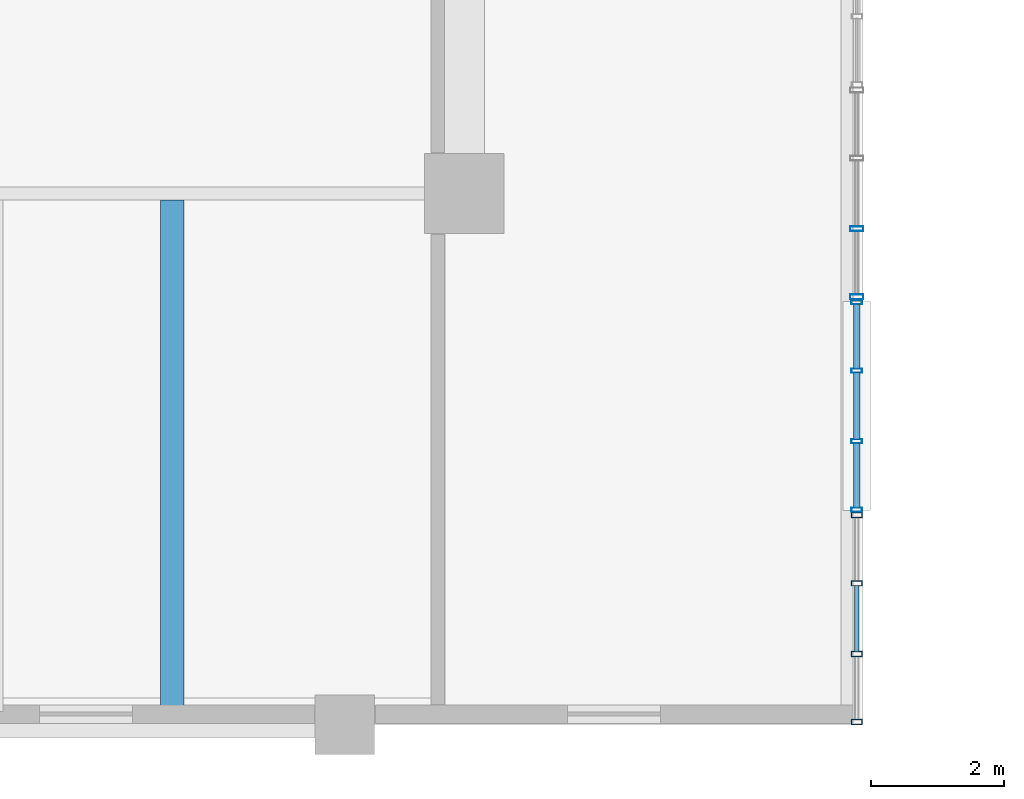
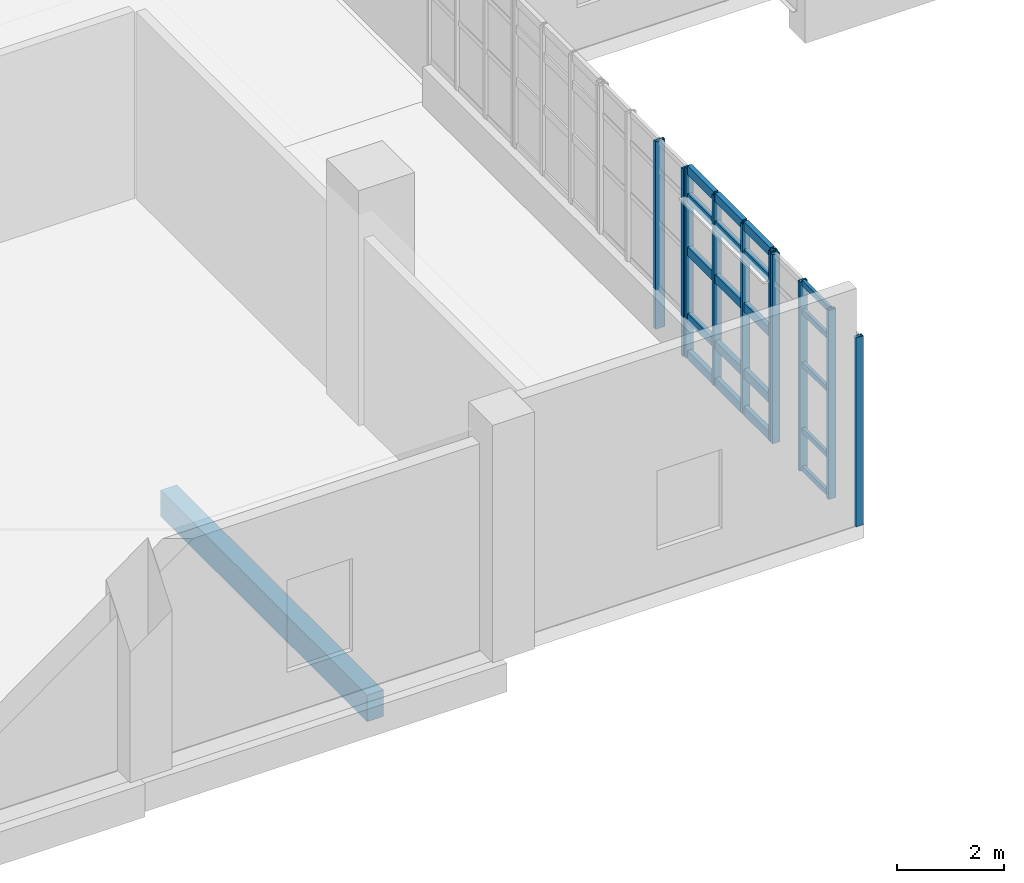
# One storey, part 23 of 57: 30 members, 1 beam, 3 elements without a shape of their own.
"""IFC4 building model written with IfcOpenShell, lengths in metres."""

from ifc_helpers import new_model, si_unit, derived_unit, direction, frame, origin, origin_2d, place, context, subcontext, project, spatial, rectangle, hollow_rectangle, extrude, material, layer, layer_set, material_profile, profile_set, type_object, element, aggregate, save


model = new_model("IFC4")

# Units and contexts
model_context = context("Model", 3, precision=1e-05, world=origin(), true_north=direction((0.0, 1.0)))
body_context = subcontext(model_context, "Body", "Model", "MODEL_VIEW")
ifc_project = project(units=[si_unit("LENGTHUNIT", "METRE"), si_unit("AREAUNIT", "SQUARE_METRE"), si_unit("VOLUMEUNIT", "CUBIC_METRE"), si_unit("PLANEANGLEUNIT", "RADIAN"), si_unit("MASSUNIT", "GRAM", prefix="KILO"), derived_unit("THERMALTRANSMITTANCEUNIT", [(si_unit("POWERUNIT", "WATT"), 1), (si_unit("LENGTHUNIT", "METRE"), -2), (si_unit("THERMODYNAMICTEMPERATUREUNIT", "KELVIN"), -1)])], contexts=[model_context])

# Site, building, storey
site_placement = place(None, origin())
site = spatial("IfcSite", under=ifc_project, at=site_placement, CompositionType="ELEMENT")
building_placement = place(site_placement, origin())
building = spatial("IfcBuilding", under=site, at=building_placement, Name="Nallur Shell Playhouse", CompositionType="ELEMENT")
storey_placement = place(building_placement, origin())
storey = spatial("IfcBuildingStorey", under=building, at=storey_placement, Name="L01", CompositionType="ELEMENT", Elevation=0.0)

# Beam
ifc_material_1 = material(Name="Concrete M30", Category="concrete")
ifc_material_profile_1 = material_profile(ifc_material_1, rectangle(XDim=0.35009765625, YDim=0.60009765625, at=origin_2d()), Name="RC 350x600")
ifc_profile_set_1 = profile_set([ifc_material_profile_1], Name="Concrete M30")
beam_type = type_object("IfcBeamType", Name="BM-RC-350x600", PredefinedType="JOIST", material=ifc_profile_set_1)
beam_placement = place(storey_placement, frame((108.199951171875, 8.197998046875, -0.6201171875), z_axis=(0.0, 1.0, 0.0), x_axis=(-1.0, 0.0, 0.0)))
element("IfcBeam", 1, at=beam_placement, inside=storey, type_object=beam_type, Name="L01 secondary joist 13-A-306", PredefinedType="JOIST", context=body_context, shape_type="SweptSolid", body=[
    extrude(rectangle(XDim=0.35009765625, YDim=0.60009765625, at=origin_2d()), origin(), (0.0, 0.0, 1.0), 7.7041015625),
])

# Curtain wall, members
ifc_material_2 = material(Name="Anodised Aluminium Double-Glazed Facade System", Category="aluminium")
ifc_layer_1 = layer(ifc_material_2, 0.179931640625)
ifc_layer_set_1 = layer_set([ifc_layer_1], Name="Anodised Aluminium Double-Glazed Facade System")
curtain_wall_type_1 = type_object("IfcCurtainWallType", Name="CW-UNIT-05", PredefinedType="NOTDEFINED", material=ifc_layer_set_1)
curtain_wall_1_placement = place(storey_placement, origin())
curtain_wall_1 = element("IfcCurtainWall", 2, at=curtain_wall_1_placement, inside=storey, type_object=curtain_wall_type_1, Name="Unitised curtain wall CW-005 (L01)", PredefinedType="NOTDEFINED")
ifc_material_3 = material(Name="Aluminium Alloy 6063-T6 Mullion", Category="aluminium")
ifc_material_profile_2 = material_profile(ifc_material_3, hollow_rectangle(XDim=0.080078125, YDim=0.159912109375, WallThickness=0.006103515625, at=origin_2d()), Name="RHS 160x80x6")
ifc_profile_set_2 = profile_set([ifc_material_profile_2], Name="Aluminium Alloy 6063-T6 Mullion")
member_type_1 = type_object("IfcMemberType", Name="MB-CW-MUL150", PredefinedType="MULLION", material=ifc_profile_set_2)
member_1_placement = place(storey_placement, frame((118.510009765625, 11.155029296875, -0.014892578125), z_axis=(0.0, 0.0, 1.0), x_axis=(0.0, -1.0, 0.0)))
member_1 = element("IfcMember", 3, at=member_1_placement, type_object=member_type_1, Name="CW-05 mullion 1", PredefinedType="MULLION", context=body_context, shape_type="SweptSolid", body=[
    extrude(hollow_rectangle(XDim=0.080078125, YDim=0.159912109375, WallThickness=0.006103515625, at=origin_2d()), origin(), (0.0, 0.0, 1.0), 4.303955078125),
])
member_2_placement = place(storey_placement, frame((118.510009765625, 10.1298828125, -0.014892578125), z_axis=(0.0, 0.0, 1.0), x_axis=(0.0, -1.0, 0.0)))
member_2 = element("IfcMember", 4, at=member_2_placement, type_object=member_type_1, Name="CW-05 mullion 2", PredefinedType="MULLION", context=body_context, shape_type="SweptSolid", body=[
    extrude(hollow_rectangle(XDim=0.080078125, YDim=0.159912109375, WallThickness=0.006103515625, at=origin_2d()), origin(), (0.0, 0.0, 1.0), 4.303955078125),
])
member_3_placement = place(storey_placement, frame((118.510009765625, 9.06494140625, -0.014892578125), z_axis=(0.0, 0.0, 1.0), x_axis=(0.0, -1.0, 0.0)))
member_3 = element("IfcMember", 5, at=member_3_placement, type_object=member_type_1, Name="CW-05 mullion 3", PredefinedType="MULLION", context=body_context, shape_type="SweptSolid", body=[
    extrude(hollow_rectangle(XDim=0.080078125, YDim=0.159912109375, WallThickness=0.006103515625, at=origin_2d()), origin(), (0.0, 0.0, 1.0), 4.303955078125),
])
member_4_placement = place(storey_placement, frame((118.510009765625, 8.0400390625, -0.014892578125), z_axis=(0.0, 0.0, 1.0), x_axis=(0.0, -1.0, 0.0)))
member_4 = element("IfcMember", 6, at=member_4_placement, type_object=member_type_1, Name="CW-05 mullion 4", PredefinedType="MULLION", context=body_context, shape_type="SweptSolid", body=[
    extrude(hollow_rectangle(XDim=0.080078125, YDim=0.159912109375, WallThickness=0.006103515625, at=origin_2d()), origin(), (0.0, 0.0, 1.0), 4.303955078125),
])

ifc_layer_2 = layer(ifc_material_2, 0.176025390625)
ifc_layer_set_2 = layer_set([ifc_layer_2], Name="Anodised Aluminium Double-Glazed Facade System")
curtain_wall_type_2 = type_object("IfcCurtainWallType", Name="CW-UNIT-04", PredefinedType="NOTDEFINED", material=ifc_layer_set_2)
curtain_wall_2_placement = place(storey_placement, origin())
curtain_wall_2 = element("IfcCurtainWall", 7, at=curtain_wall_2_placement, inside=storey, type_object=curtain_wall_type_2, Name="Unitised curtain wall CW-004 (L01)", PredefinedType="NOTDEFINED")
ifc_material_profile_3 = material_profile(ifc_material_3, hollow_rectangle(XDim=0.06494140625, YDim=0.159912109375, WallThickness=0.00390625, at=origin_2d()), Name="ALU 65x160x4")
ifc_profile_set_3 = profile_set([ifc_material_profile_3], Name="Aluminium Alloy 6063-T6 Mullion")
member_type_2 = type_object("IfcMemberType", Name="MB-CW-MUL160", PredefinedType="MULLION", material=ifc_profile_set_3)
member_5_placement = place(storey_placement, frame((118.510009765625, 14.362548828125, -0.014892578125), z_axis=(0.0, 0.0, 1.0), x_axis=(0.0, -1.0, 0.0)))
member_5 = element("IfcMember", 8, at=member_5_placement, type_object=member_type_2, Name="CW-04 mullion 1", PredefinedType="MULLION", context=body_context, shape_type="SweptSolid", body=[
    extrude(hollow_rectangle(XDim=0.06494140625, YDim=0.159912109375, WallThickness=0.00390625, at=origin_2d()), origin(), (0.0, 0.0, 1.0), 4.323974609375),
])
member_6_placement = place(storey_placement, frame((118.510009765625, 13.331787109375, -0.014892578125), z_axis=(0.0, 0.0, 1.0), x_axis=(0.0, -1.0, 0.0)))
member_6 = element("IfcMember", 9, at=member_6_placement, type_object=member_type_2, Name="CW-04 mullion 2", PredefinedType="MULLION", context=body_context, shape_type="SweptSolid", body=[
    extrude(hollow_rectangle(XDim=0.06494140625, YDim=0.159912109375, WallThickness=0.00390625, at=origin_2d()), origin(), (0.0, 0.0, 1.0), 4.323974609375),
])
member_7_placement = place(storey_placement, frame((118.510009765625, 12.268310546875, -0.014892578125), z_axis=(0.0, 0.0, 1.0), x_axis=(0.0, -1.0, 0.0)))
member_7 = element("IfcMember", 10, at=member_7_placement, type_object=member_type_2, Name="CW-04 mullion 3", PredefinedType="MULLION", context=body_context, shape_type="SweptSolid", body=[
    extrude(hollow_rectangle(XDim=0.06494140625, YDim=0.159912109375, WallThickness=0.00390625, at=origin_2d()), origin(), (0.0, 0.0, 1.0), 4.323974609375),
])
member_8_placement = place(storey_placement, frame((118.510009765625, 11.237548828125, -0.014892578125), z_axis=(0.0, 0.0, 1.0), x_axis=(0.0, -1.0, 0.0)))
member_8 = element("IfcMember", 11, at=member_8_placement, type_object=member_type_2, Name="CW-04 mullion 4", PredefinedType="MULLION", context=body_context, shape_type="SweptSolid", body=[
    extrude(hollow_rectangle(XDim=0.06494140625, YDim=0.159912109375, WallThickness=0.00390625, at=origin_2d()), origin(), (0.0, 0.0, 1.0), 4.323974609375),
])

ifc_layer_3 = layer(ifc_material_2, 0.172119140625)
ifc_layer_set_3 = layer_set([ifc_layer_3], Name="Anodised Aluminium Double-Glazed Facade System")
curtain_wall_type_3 = type_object("IfcCurtainWallType", Name="CW-UNIT-03", PredefinedType="NOTDEFINED", material=ifc_layer_set_3)
curtain_wall_3_placement = place(storey_placement, origin())
curtain_wall_3 = element("IfcCurtainWall", 12, at=curtain_wall_3_placement, inside=storey, type_object=curtain_wall_type_3, Name="Unitised curtain wall CW-003 (L01)", PredefinedType="NOTDEFINED")
ifc_material_profile_4 = material_profile(ifc_material_3, hollow_rectangle(XDim=0.074951171875, YDim=0.199951171875, WallThickness=0.0048828125, at=origin_2d()), Name="ALU 75x200x5")
ifc_profile_set_4 = profile_set([ifc_material_profile_4], Name="Aluminium Alloy 6063-T6 Mullion")
member_type_3 = type_object("IfcMemberType", Name="MB-CW-MUL180", PredefinedType="MULLION", material=ifc_profile_set_4)
member_9_placement = place(storey_placement, frame((118.510009765625, 15.46826171875, -0.014892578125), z_axis=(0.0, 0.0, 1.0), x_axis=(0.0, -1.0, 0.0)))
member_9 = element("IfcMember", 13, at=member_9_placement, type_object=member_type_3, Name="CW-03 mullion 3", PredefinedType="MULLION", context=body_context, shape_type="SweptSolid", body=[
    extrude(hollow_rectangle(XDim=0.074951171875, YDim=0.199951171875, WallThickness=0.0048828125, at=origin_2d()), origin(), (0.0, 0.0, 1.0), 4.263916015625),
])
member_10_placement = place(storey_placement, frame((118.510009765625, 14.4423828125, -0.014892578125), z_axis=(0.0, 0.0, 1.0), x_axis=(0.0, -1.0, 0.0)))
member_10 = element("IfcMember", 14, at=member_10_placement, type_object=member_type_3, Name="CW-03 mullion 4", PredefinedType="MULLION", context=body_context, shape_type="SweptSolid", body=[
    extrude(hollow_rectangle(XDim=0.074951171875, YDim=0.199951171875, WallThickness=0.0048828125, at=origin_2d()), origin(), (0.0, 0.0, 1.0), 4.263916015625),
])
aggregate(curtain_wall_3, [member_9, member_10])

# Member
ifc_material_4 = material(Name="Aluminium Alloy 6063-T6 Transom", Category="aluminium")
ifc_material_profile_5 = material_profile(ifc_material_4, hollow_rectangle(XDim=0.06494140625, YDim=0.1201171875, WallThickness=0.00390625, at=origin_2d()), Name="ALU 65x120x4")
ifc_profile_set_5 = profile_set([ifc_material_profile_5], Name="Aluminium Alloy 6063-T6 Transom")
member_type_4 = type_object("IfcMemberType", Name="MB-CW-TRN120", PredefinedType="USERDEFINED", material=ifc_profile_set_5)
member_11_placement = place(storey_placement, frame((118.510009765625, 10.097900390625, 0.032470703125), z_axis=(0.0, -1.0, 0.0), x_axis=(1.0, 0.0, 0.0)))
member_11 = element("IfcMember", 15, at=member_11_placement, type_object=member_type_4, Name="CW-05 transom 2.1", ObjectType="TRANSOM", PredefinedType="USERDEFINED", context=body_context, shape_type="SweptSolid", body=[
    extrude(hollow_rectangle(XDim=0.06494140625, YDim=0.1201171875, WallThickness=0.00390625, at=origin_2d()), origin(), (0.0, 0.0, 1.0), 1.0009765625),
])

member_12_placement = place(storey_placement, frame((118.510009765625, 10.097900390625, 0.89990234375), z_axis=(0.0, -1.0, 0.0), x_axis=(1.0, 0.0, 0.0)))
member_12 = element("IfcMember", 16, at=member_12_placement, type_object=member_type_4, Name="CW-05 transom 2.2", ObjectType="TRANSOM", PredefinedType="USERDEFINED", context=body_context, shape_type="SweptSolid", body=[
    extrude(hollow_rectangle(XDim=0.06494140625, YDim=0.1201171875, WallThickness=0.00390625, at=origin_2d()), origin(), (0.0, 0.0, 1.0), 1.0009765625),
])

member_13_placement = place(storey_placement, frame((118.510009765625, 10.097900390625, 2.39990234375), z_axis=(0.0, -1.0, 0.0), x_axis=(1.0, 0.0, 0.0)))
member_13 = element("IfcMember", 17, at=member_13_placement, type_object=member_type_4, Name="CW-05 transom 2.3", ObjectType="TRANSOM", PredefinedType="USERDEFINED", context=body_context, shape_type="SweptSolid", body=[
    extrude(hollow_rectangle(XDim=0.06494140625, YDim=0.1201171875, WallThickness=0.00390625, at=origin_2d()), origin(), (0.0, 0.0, 1.0), 1.0009765625),
])

member_14_placement = place(storey_placement, frame((118.510009765625, 10.097900390625, 3.60498046875), z_axis=(0.0, -1.0, 0.0), x_axis=(1.0, 0.0, 0.0)))
member_14 = element("IfcMember", 18, at=member_14_placement, type_object=member_type_4, Name="CW-05 transom 2.4", ObjectType="TRANSOM", PredefinedType="USERDEFINED", context=body_context, shape_type="SweptSolid", body=[
    extrude(hollow_rectangle(XDim=0.06494140625, YDim=0.1201171875, WallThickness=0.00390625, at=origin_2d()), origin(), (0.0, 0.0, 1.0), 1.0009765625),
])

member_15_placement = place(storey_placement, frame((118.510009765625, 10.097900390625, 4.25244140625), z_axis=(0.0, -1.0, 0.0), x_axis=(1.0, 0.0, 0.0)))
member_15 = element("IfcMember", 19, at=member_15_placement, type_object=member_type_4, Name="CW-05 transom 2.5", ObjectType="TRANSOM", PredefinedType="USERDEFINED", context=body_context, shape_type="SweptSolid", body=[
    extrude(hollow_rectangle(XDim=0.06494140625, YDim=0.1201171875, WallThickness=0.00390625, at=origin_2d()), origin(), (0.0, 0.0, 1.0), 1.0009765625),
])

aggregate(curtain_wall_1, [member_1, member_2, member_3, member_4, member_11, member_12, member_13, member_14, member_15])

ifc_material_profile_6 = material_profile(ifc_material_4, hollow_rectangle(XDim=0.10009765625, YDim=0.199951171875, WallThickness=0.008056640625, at=origin_2d()), Name="RHS 200x100x8")
ifc_profile_set_6 = profile_set([ifc_material_profile_6], Name="Aluminium Alloy 6063-T6 Transom")
member_type_5 = type_object("IfcMemberType", Name="MB-CW-TRN140", PredefinedType="USERDEFINED", material=ifc_profile_set_6)
member_16_placement = place(storey_placement, frame((118.510009765625, 14.337890625, 0.050048828125), z_axis=(0.0, -1.0, 0.0), x_axis=(1.0, 0.0, 0.0)))
member_16 = element("IfcMember", 20, at=member_16_placement, type_object=member_type_5, Name="CW-04 transom 1.1", ObjectType="TRANSOM", PredefinedType="USERDEFINED", context=body_context, shape_type="SweptSolid", body=[
    extrude(hollow_rectangle(XDim=0.10009765625, YDim=0.199951171875, WallThickness=0.008056640625, at=origin_2d()), origin(), (0.0, 0.0, 1.0), 0.981689453125),
])

member_17_placement = place(storey_placement, frame((118.510009765625, 14.337890625, 0.89990234375), z_axis=(0.0, -1.0, 0.0), x_axis=(1.0, 0.0, 0.0)))
member_17 = element("IfcMember", 21, at=member_17_placement, type_object=member_type_5, Name="CW-04 transom 1.2", ObjectType="TRANSOM", PredefinedType="USERDEFINED", context=body_context, shape_type="SweptSolid", body=[
    extrude(hollow_rectangle(XDim=0.10009765625, YDim=0.199951171875, WallThickness=0.008056640625, at=origin_2d()), origin(), (0.0, 0.0, 1.0), 0.981689453125),
])

member_18_placement = place(storey_placement, frame((118.510009765625, 14.337890625, 2.410888671875), z_axis=(0.0, -1.0, 0.0), x_axis=(1.0, 0.0, 0.0)))
member_18 = element("IfcMember", 22, at=member_18_placement, type_object=member_type_5, Name="CW-04 transom 1.3", ObjectType="TRANSOM", PredefinedType="USERDEFINED", context=body_context, shape_type="SweptSolid", body=[
    extrude(hollow_rectangle(XDim=0.10009765625, YDim=0.199951171875, WallThickness=0.008056640625, at=origin_2d()), origin(), (0.0, 0.0, 1.0), 0.981689453125),
])

member_19_placement = place(storey_placement, frame((118.510009765625, 14.337890625, 3.625), z_axis=(0.0, -1.0, 0.0), x_axis=(1.0, 0.0, 0.0)))
member_19 = element("IfcMember", 23, at=member_19_placement, type_object=member_type_5, Name="CW-04 transom 1.4", ObjectType="TRANSOM", PredefinedType="USERDEFINED", context=body_context, shape_type="SweptSolid", body=[
    extrude(hollow_rectangle(XDim=0.10009765625, YDim=0.199951171875, WallThickness=0.008056640625, at=origin_2d()), origin(), (0.0, 0.0, 1.0), 0.981689453125),
])

member_20_placement = place(storey_placement, frame((118.510009765625, 14.337890625, 4.2548828125), z_axis=(0.0, -1.0, 0.0), x_axis=(1.0, 0.0, 0.0)))
member_20 = element("IfcMember", 24, at=member_20_placement, type_object=member_type_5, Name="CW-04 transom 1.5", ObjectType="TRANSOM", PredefinedType="USERDEFINED", context=body_context, shape_type="SweptSolid", body=[
    extrude(hollow_rectangle(XDim=0.10009765625, YDim=0.199951171875, WallThickness=0.008056640625, at=origin_2d()), origin(), (0.0, 0.0, 1.0), 0.981689453125),
])

member_21_placement = place(storey_placement, frame((118.510009765625, 13.30712890625, 0.050048828125), z_axis=(0.0, -1.0, 0.0), x_axis=(1.0, 0.0, 0.0)))
member_21 = element("IfcMember", 25, at=member_21_placement, type_object=member_type_5, Name="CW-04 transom 2.1", ObjectType="TRANSOM", PredefinedType="USERDEFINED", context=body_context, shape_type="SweptSolid", body=[
    extrude(hollow_rectangle(XDim=0.10009765625, YDim=0.199951171875, WallThickness=0.008056640625, at=origin_2d()), origin(), (0.0, 0.0, 1.0), 1.014404296875),
])

member_22_placement = place(storey_placement, frame((118.510009765625, 13.30712890625, 0.89990234375), z_axis=(0.0, -1.0, 0.0), x_axis=(1.0, 0.0, 0.0)))
member_22 = element("IfcMember", 26, at=member_22_placement, type_object=member_type_5, Name="CW-04 transom 2.2", ObjectType="TRANSOM", PredefinedType="USERDEFINED", context=body_context, shape_type="SweptSolid", body=[
    extrude(hollow_rectangle(XDim=0.10009765625, YDim=0.199951171875, WallThickness=0.008056640625, at=origin_2d()), origin(), (0.0, 0.0, 1.0), 1.014404296875),
])

member_23_placement = place(storey_placement, frame((118.510009765625, 13.30712890625, 2.410888671875), z_axis=(0.0, -1.0, 0.0), x_axis=(1.0, 0.0, 0.0)))
member_23 = element("IfcMember", 27, at=member_23_placement, type_object=member_type_5, Name="CW-04 transom 2.3", ObjectType="TRANSOM", PredefinedType="USERDEFINED", context=body_context, shape_type="SweptSolid", body=[
    extrude(hollow_rectangle(XDim=0.10009765625, YDim=0.199951171875, WallThickness=0.008056640625, at=origin_2d()), origin(), (0.0, 0.0, 1.0), 1.014404296875),
])

member_24_placement = place(storey_placement, frame((118.510009765625, 13.30712890625, 3.625), z_axis=(0.0, -1.0, 0.0), x_axis=(1.0, 0.0, 0.0)))
member_24 = element("IfcMember", 28, at=member_24_placement, type_object=member_type_5, Name="CW-04 transom 2.4", ObjectType="TRANSOM", PredefinedType="USERDEFINED", context=body_context, shape_type="SweptSolid", body=[
    extrude(hollow_rectangle(XDim=0.10009765625, YDim=0.199951171875, WallThickness=0.008056640625, at=origin_2d()), origin(), (0.0, 0.0, 1.0), 1.014404296875),
])

member_25_placement = place(storey_placement, frame((118.510009765625, 13.30712890625, 4.2548828125), z_axis=(0.0, -1.0, 0.0), x_axis=(1.0, 0.0, 0.0)))
member_25 = element("IfcMember", 29, at=member_25_placement, type_object=member_type_5, Name="CW-04 transom 2.5", ObjectType="TRANSOM", PredefinedType="USERDEFINED", context=body_context, shape_type="SweptSolid", body=[
    extrude(hollow_rectangle(XDim=0.10009765625, YDim=0.199951171875, WallThickness=0.008056640625, at=origin_2d()), origin(), (0.0, 0.0, 1.0), 1.014404296875),
])

member_26_placement = place(storey_placement, frame((118.510009765625, 12.243896484375, 0.050048828125), z_axis=(0.0, -1.0, 0.0), x_axis=(1.0, 0.0, 0.0)))
member_26 = element("IfcMember", 30, at=member_26_placement, type_object=member_type_5, Name="CW-04 transom 3.1", ObjectType="TRANSOM", PredefinedType="USERDEFINED", context=body_context, shape_type="SweptSolid", body=[
    extrude(hollow_rectangle(XDim=0.10009765625, YDim=0.199951171875, WallThickness=0.008056640625, at=origin_2d()), origin(), (0.0, 0.0, 1.0), 0.98193359375),
])

member_27_placement = place(storey_placement, frame((118.510009765625, 12.243896484375, 0.89990234375), z_axis=(0.0, -1.0, 0.0), x_axis=(1.0, 0.0, 0.0)))
member_27 = element("IfcMember", 31, at=member_27_placement, type_object=member_type_5, Name="CW-04 transom 3.2", ObjectType="TRANSOM", PredefinedType="USERDEFINED", context=body_context, shape_type="SweptSolid", body=[
    extrude(hollow_rectangle(XDim=0.10009765625, YDim=0.199951171875, WallThickness=0.008056640625, at=origin_2d()), origin(), (0.0, 0.0, 1.0), 0.98193359375),
])

member_28_placement = place(storey_placement, frame((118.510009765625, 12.243896484375, 2.410888671875), z_axis=(0.0, -1.0, 0.0), x_axis=(1.0, 0.0, 0.0)))
member_28 = element("IfcMember", 32, at=member_28_placement, type_object=member_type_5, Name="CW-04 transom 3.3", ObjectType="TRANSOM", PredefinedType="USERDEFINED", context=body_context, shape_type="SweptSolid", body=[
    extrude(hollow_rectangle(XDim=0.10009765625, YDim=0.199951171875, WallThickness=0.008056640625, at=origin_2d()), origin(), (0.0, 0.0, 1.0), 0.98193359375),
])

member_29_placement = place(storey_placement, frame((118.510009765625, 12.243896484375, 3.625), z_axis=(0.0, -1.0, 0.0), x_axis=(1.0, 0.0, 0.0)))
member_29 = element("IfcMember", 33, at=member_29_placement, type_object=member_type_5, Name="CW-04 transom 3.4", ObjectType="TRANSOM", PredefinedType="USERDEFINED", context=body_context, shape_type="SweptSolid", body=[
    extrude(hollow_rectangle(XDim=0.10009765625, YDim=0.199951171875, WallThickness=0.008056640625, at=origin_2d()), origin(), (0.0, 0.0, 1.0), 0.98193359375),
])

member_30_placement = place(storey_placement, frame((118.510009765625, 12.243896484375, 4.2548828125), z_axis=(0.0, -1.0, 0.0), x_axis=(1.0, 0.0, 0.0)))
member_30 = element("IfcMember", 34, at=member_30_placement, type_object=member_type_5, Name="CW-04 transom 3.5", ObjectType="TRANSOM", PredefinedType="USERDEFINED", context=body_context, shape_type="SweptSolid", body=[
    extrude(hollow_rectangle(XDim=0.10009765625, YDim=0.199951171875, WallThickness=0.008056640625, at=origin_2d()), origin(), (0.0, 0.0, 1.0), 0.98193359375),
])

aggregate(curtain_wall_2, [member_5, member_6, member_7, member_8, member_16, member_17, member_18, member_19, member_20, member_21, member_22, member_23, member_24, member_25, member_26, member_27, member_28, member_29, member_30])

save(model, "model.ifc")
